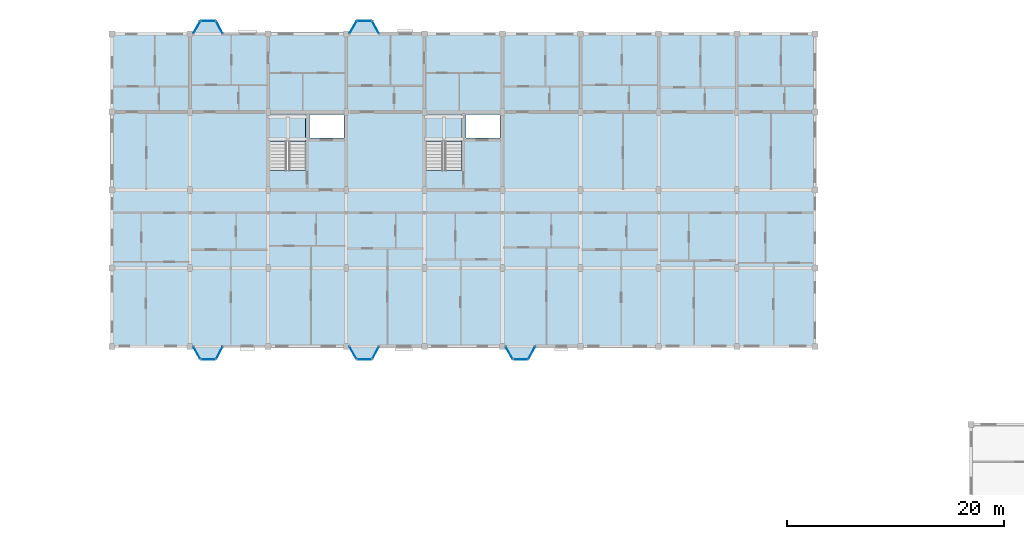
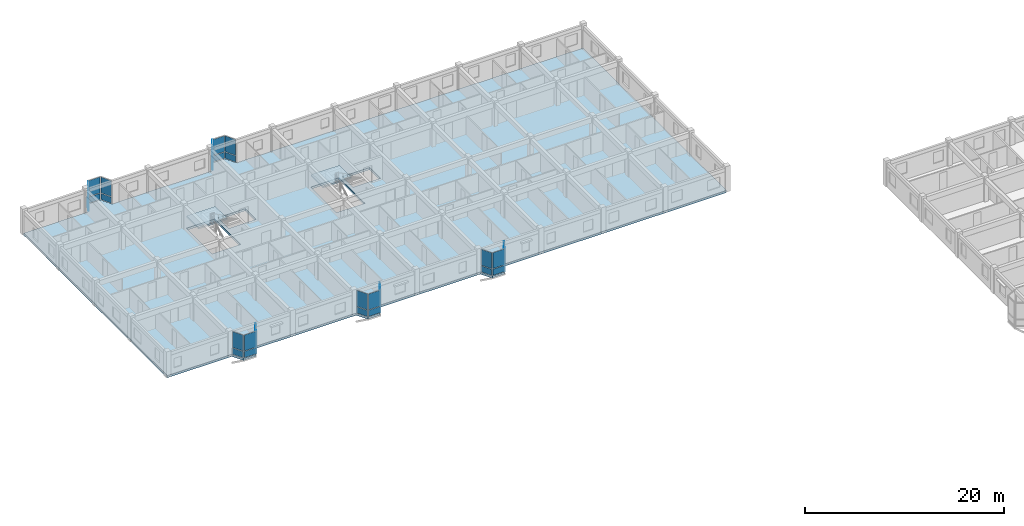
# One storey, part 49 of 77: 30 plates, 3 slabs, 17 elements without a shape of their own.
"""IFC4 building model written with IfcOpenShell, lengths in metres."""

from ifc_helpers import new_model, si_unit, direction, frame, origin, origin_2d, place, context, subcontext, project, spatial, polyline, rectangle, outline, extrude, material, layer, layer_set, type_object, element, aggregate, save


model = new_model("IFC4")

# Units and contexts
model_context = context("Model", 3, precision=1e-05, world=origin(), true_north=direction((0.0, 1.0)))
body_context = subcontext(model_context, "Body", "Model", "MODEL_VIEW")
ifc_project = project(units=[si_unit("LENGTHUNIT", "METRE"), si_unit("AREAUNIT", "SQUARE_METRE"), si_unit("VOLUMEUNIT", "CUBIC_METRE"), si_unit("PLANEANGLEUNIT", "RADIAN"), si_unit("MASSUNIT", "GRAM", prefix="KILO"), si_unit("THERMODYNAMICTEMPERATUREUNIT", "KELVIN"), si_unit("POWERUNIT", "WATT")], contexts=[model_context])

# Site, building, storey
site_placement = place(None, origin())
site = spatial("IfcSite", under=ifc_project, at=site_placement, CompositionType="ELEMENT")
building_placement = place(site_placement, origin())
building = spatial("IfcBuilding", under=site, at=building_placement, Name="Tavuni Mirador Residences", CompositionType="ELEMENT")
storey_placement = place(building_placement, frame((0.0, 0.0, 17.10009765625)))
storey = spatial("IfcBuildingStorey", under=building, at=storey_placement, Name="L05", CompositionType="ELEMENT", Elevation=17.10009765625)

# Curtain wall, plate
ifc_material_1 = material(Name="Anodised aluminium", Category="aluminium")
ifc_layer_1 = layer(ifc_material_1, 0.1650390625, Name="Anodised aluminium", Category="aluminium")
ifc_layer_set_1 = layer_set([ifc_layer_1], Name="Anodised aluminium")
curtain_wall_type_1 = type_object("IfcCurtainWallType", Name="CWT-MIR-A", PredefinedType="NOTDEFINED", material=ifc_layer_set_1)
curtain_wall_1_placement = place(storey_placement, origin())
curtain_wall_1 = element("IfcCurtainWall", 1, at=curtain_wall_1_placement, inside=storey, type_object=curtain_wall_type_1, Name="CW-MIR-C-S2-L05-M1", PredefinedType="NOTDEFINED")
ifc_material_2 = material(Name="Laminated solar-control glass", Category="glass")
ifc_layer_2 = layer(ifc_material_2, 0.02392578125, Name="Laminated solar-control glass", Category="glass")
ifc_layer_set_2 = layer_set([ifc_layer_2], Name="Laminated solar-control glass")
plate_type_1 = type_object("IfcPlateType", Name="CWP-GL24", PredefinedType="CURTAIN_PANEL", material=ifc_layer_set_2)
plate_1_placement = place(storey_placement, frame((33.017578125, 143.39990234375, 0.8798828125), z_axis=(0.0, 0.0, 1.0), x_axis=(0.495749192217, -0.868465738194, 0.0)))
plate_1 = element("IfcPlate", 2, at=plate_1_placement, type_object=plate_type_1, Name="CW-01 panel 1.2", PredefinedType="CURTAIN_PANEL", context=body_context, shape_type="SweptSolid", body=[
    extrude(rectangle(XDim=1.26171875, YDim=0.02392578125, at=origin_2d()), origin(), (0.0, 0.0, 1.0), 1.945068359375),
])

curtain_wall_2_placement = place(storey_placement, origin())
curtain_wall_2 = element("IfcCurtainWall", 3, at=curtain_wall_2_placement, inside=storey, type_object=curtain_wall_type_1, Name="CW-MIR-C-S3-L05-MF", PredefinedType="NOTDEFINED")
plate_2_placement = place(storey_placement, frame((48.469970703125, 142.800048828125, 0.8798828125), z_axis=(0.0, 0.0, 1.0), x_axis=(1.0, 0.0, 0.0)))
plate_2 = element("IfcPlate", 4, at=plate_2_placement, type_object=plate_type_1, Name="CW-01 panel 1.2", PredefinedType="CURTAIN_PANEL", context=body_context, shape_type="SweptSolid", body=[
    extrude(rectangle(XDim=1.300048828125, YDim=0.02392578125, at=origin_2d()), origin(), (0.0, 0.0, 1.0), 1.945068359375),
])

curtain_wall_3_placement = place(storey_placement, origin())
curtain_wall_3 = element("IfcCurtainWall", 5, at=curtain_wall_3_placement, inside=storey, type_object=curtain_wall_type_1, Name="CW-MIR-C-N2-L05-M2", PredefinedType="NOTDEFINED")
plate_3_placement = place(storey_placement, frame((33.017578125, 173.39990234375, 0.8798828125), z_axis=(0.0, 0.0, 1.0), x_axis=(-0.495749192217, -0.868465738194, 0.0)))
plate_3 = element("IfcPlate", 6, at=plate_3_placement, type_object=plate_type_1, Name="CW-01 panel 1.2", PredefinedType="CURTAIN_PANEL", context=body_context, shape_type="SweptSolid", body=[
    extrude(rectangle(XDim=1.26171875, YDim=0.02392578125, at=origin_2d()), origin(), (0.0, 0.0, 1.0), 1.945068359375),
])

ifc_layer_3 = layer(ifc_material_1, 0.14990234375, Name="Anodised aluminium", Category="aluminium")
ifc_layer_set_3 = layer_set([ifc_layer_3], Name="Anodised aluminium")
curtain_wall_type_2 = type_object("IfcCurtainWallType", Name="CWT-MIR-B", PredefinedType="NOTDEFINED", material=ifc_layer_set_3)
curtain_wall_4_placement = place(storey_placement, origin())
curtain_wall_4 = element("IfcCurtainWall", 7, at=curtain_wall_4_placement, inside=storey, type_object=curtain_wall_type_2, Name="CW-MIR-C-S1-L05-M1", PredefinedType="NOTDEFINED")
ifc_layer_4 = layer(ifc_material_2, 0.028076171875, Name="Laminated solar-control glass", Category="glass")
ifc_layer_set_4 = layer_set([ifc_layer_4], Name="Laminated solar-control glass")
plate_type_2 = type_object("IfcPlateType", Name="CWP-GL28", PredefinedType="CURTAIN_PANEL", material=ifc_layer_set_4)
plate_4_placement = place(storey_placement, frame((18.617431640625, 143.39990234375, 0.88232421875), z_axis=(0.0, 0.0, 1.0), x_axis=(0.495749192217, -0.868465738194, 0.0)))
plate_4 = element("IfcPlate", 8, at=plate_4_placement, type_object=plate_type_2, Name="CW-02 panel 1.2", PredefinedType="CURTAIN_PANEL", context=body_context, shape_type="SweptSolid", body=[
    extrude(rectangle(XDim=1.251708984375, YDim=0.028076171875, at=origin_2d()), origin(), (0.0, 0.0, 1.0), 1.9375),
])

curtain_wall_5_placement = place(storey_placement, origin())
curtain_wall_5 = element("IfcCurtainWall", 9, at=curtain_wall_5_placement, inside=storey, type_object=curtain_wall_type_2, Name="CW-MIR-C-S2-L05-MF", PredefinedType="NOTDEFINED")
plate_5_placement = place(storey_placement, frame((34.070068359375, 142.800048828125, 0.88232421875), z_axis=(0.0, 0.0, 1.0), x_axis=(1.0, 0.0, 0.0)))
plate_5 = element("IfcPlate", 10, at=plate_5_placement, type_object=plate_type_2, Name="CW-02 panel 1.2", PredefinedType="CURTAIN_PANEL", context=body_context, shape_type="SweptSolid", body=[
    extrude(rectangle(XDim=1.2900390625, YDim=0.028076171875, at=origin_2d()), origin(), (0.0, 0.0, 1.0), 1.9375),
])

curtain_wall_6_placement = place(storey_placement, origin())
curtain_wall_6 = element("IfcCurtainWall", 11, at=curtain_wall_6_placement, inside=storey, type_object=curtain_wall_type_2, Name="CW-MIR-C-S3-L05-M2", PredefinedType="NOTDEFINED")
plate_6_placement = place(storey_placement, frame((49.5, 143.39990234375, 0.88232421875), z_axis=(0.0, 0.0, 1.0), x_axis=(0.470588235296, 0.882352941175, 0.0)))
plate_6 = element("IfcPlate", 12, at=plate_6_placement, type_object=plate_type_2, Name="CW-02 panel 1.2", PredefinedType="CURTAIN_PANEL", context=body_context, shape_type="SweptSolid", body=[
    extrude(rectangle(XDim=1.22998046875, YDim=0.028076171875, at=origin_2d()), origin(), (0.0, 0.0, 1.0), 1.9375),
])

curtain_wall_7_placement = place(storey_placement, origin())
curtain_wall_7 = element("IfcCurtainWall", 13, at=curtain_wall_7_placement, inside=storey, type_object=curtain_wall_type_2, Name="CW-MIR-C-N1-L05-M1", PredefinedType="NOTDEFINED")
plate_7_placement = place(storey_placement, frame((20.699951171875, 173.39990234375, 0.88232421875), z_axis=(0.0, 0.0, 1.0), x_axis=(-0.470588235296, 0.882352941175, 0.0)))
plate_7 = element("IfcPlate", 14, at=plate_7_placement, type_object=plate_type_2, Name="CW-02 panel 1.2", PredefinedType="CURTAIN_PANEL", context=body_context, shape_type="SweptSolid", body=[
    extrude(rectangle(XDim=1.22998046875, YDim=0.028076171875, at=origin_2d()), origin(), (0.0, 0.0, 1.0), 1.9375),
])

ifc_layer_5 = layer(ifc_material_1, 0.175048828125, Name="Anodised aluminium", Category="aluminium")
ifc_layer_set_5 = layer_set([ifc_layer_5], Name="Anodised aluminium")
curtain_wall_type_3 = type_object("IfcCurtainWallType", Name="CWT-MIR-C", PredefinedType="NOTDEFINED", material=ifc_layer_set_5)
curtain_wall_8_placement = place(storey_placement, origin())
curtain_wall_8 = element("IfcCurtainWall", 15, at=curtain_wall_8_placement, inside=storey, type_object=curtain_wall_type_3, Name="CW-MIR-C-S1-L05-MF", PredefinedType="NOTDEFINED")
ifc_layer_6 = layer(ifc_material_2, 0.031982421875, Name="Laminated solar-control glass", Category="glass")
ifc_layer_set_6 = layer_set([ifc_layer_6], Name="Laminated solar-control glass")
plate_type_3 = type_object("IfcPlateType", Name="CWP-GL32", PredefinedType="CURTAIN_PANEL", material=ifc_layer_set_6)
plate_8_placement = place(storey_placement, frame((19.669921875, 142.800048828125, 0.8798828125), z_axis=(0.0, 0.0, 1.0), x_axis=(1.0, 0.0, 0.0)))
plate_8 = element("IfcPlate", 16, at=plate_8_placement, type_object=plate_type_3, Name="CW-03 panel 1.2", PredefinedType="CURTAIN_PANEL", context=body_context, shape_type="SweptSolid", body=[
    extrude(rectangle(XDim=1.300048828125, YDim=0.031982421875, at=origin_2d()), origin(), (0.0, 0.0, 1.0), 1.945068359375),
])

curtain_wall_9_placement = place(storey_placement, origin())
curtain_wall_9 = element("IfcCurtainWall", 17, at=curtain_wall_9_placement, inside=storey, type_object=curtain_wall_type_3, Name="CW-MIR-C-S2-L05-M2", PredefinedType="NOTDEFINED")
plate_9_placement = place(storey_placement, frame((35.10009765625, 143.39990234375, 0.8798828125), z_axis=(0.0, 0.0, 1.0), x_axis=(0.470588235296, 0.882352941175, 0.0)))
plate_9 = element("IfcPlate", 18, at=plate_9_placement, type_object=plate_type_3, Name="CW-03 panel 1.2", PredefinedType="CURTAIN_PANEL", context=body_context, shape_type="SweptSolid", body=[
    extrude(rectangle(XDim=1.239990234375, YDim=0.031982421875, at=origin_2d()), origin(), (0.0, 0.0, 1.0), 1.945068359375),
])

curtain_wall_10_placement = place(storey_placement, origin())
curtain_wall_10 = element("IfcCurtainWall", 19, at=curtain_wall_10_placement, inside=storey, type_object=curtain_wall_type_3, Name="CW-MIR-C-N2-L05-M1", PredefinedType="NOTDEFINED")
plate_10_placement = place(storey_placement, frame((35.10009765625, 173.39990234375, 0.8798828125), z_axis=(0.0, 0.0, 1.0), x_axis=(-0.470588235296, 0.882352941175, 0.0)))
plate_10 = element("IfcPlate", 20, at=plate_10_placement, type_object=plate_type_3, Name="CW-03 panel 1.2", PredefinedType="CURTAIN_PANEL", context=body_context, shape_type="SweptSolid", body=[
    extrude(rectangle(XDim=1.239990234375, YDim=0.031982421875, at=origin_2d()), origin(), (0.0, 0.0, 1.0), 1.945068359375),
])

curtain_wall_11_placement = place(storey_placement, origin())
curtain_wall_11 = element("IfcCurtainWall", 21, at=curtain_wall_11_placement, inside=storey, type_object=curtain_wall_type_3, Name="CW-MIR-C-N1-L05-MF", PredefinedType="NOTDEFINED")
plate_11_placement = place(storey_placement, frame((19.669921875, 174.0, 0.8798828125), z_axis=(0.0, 0.0, 1.0), x_axis=(-1.0, 0.0, 0.0)))
plate_11 = element("IfcPlate", 22, at=plate_11_placement, type_object=plate_type_3, Name="CW-03 panel 1.2", PredefinedType="CURTAIN_PANEL", context=body_context, shape_type="SweptSolid", body=[
    extrude(rectangle(XDim=1.300048828125, YDim=0.031982421875, at=origin_2d()), origin(), (0.0, 0.0, 1.0), 1.945068359375),
])

ifc_layer_7 = layer(ifc_material_1, 0.159912109375, Name="Anodised aluminium", Category="aluminium")
ifc_layer_set_7 = layer_set([ifc_layer_7], Name="Anodised aluminium")
curtain_wall_type_4 = type_object("IfcCurtainWallType", Name="CWT-MIR-D", PredefinedType="NOTDEFINED", material=ifc_layer_set_7)
curtain_wall_12_placement = place(storey_placement, origin())
curtain_wall_12 = element("IfcCurtainWall", 23, at=curtain_wall_12_placement, inside=storey, type_object=curtain_wall_type_4, Name="CW-MIR-C-S1-L05-M2", PredefinedType="NOTDEFINED")
ifc_layer_8 = layer(ifc_material_2, 0.035888671875, Name="Laminated solar-control glass", Category="glass")
ifc_layer_set_8 = layer_set([ifc_layer_8], Name="Laminated solar-control glass")
plate_type_4 = type_object("IfcPlateType", Name="CWP-GL36", PredefinedType="CURTAIN_PANEL", material=ifc_layer_set_8)
plate_12_placement = place(storey_placement, frame((20.699951171875, 143.39990234375, 0.88232421875), z_axis=(0.0, 0.0, 1.0), x_axis=(0.470588235296, 0.882352941175, 0.0)))
plate_12 = element("IfcPlate", 24, at=plate_12_placement, type_object=plate_type_4, Name="CW-04 panel 1.2", PredefinedType="CURTAIN_PANEL", context=body_context, shape_type="SweptSolid", body=[
    extrude(rectangle(XDim=1.22998046875, YDim=0.035888671875, at=origin_2d()), origin(), (0.0, 0.0, 1.0), 1.9375),
])

curtain_wall_13_placement = place(storey_placement, origin())
curtain_wall_13 = element("IfcCurtainWall", 25, at=curtain_wall_13_placement, inside=storey, type_object=curtain_wall_type_4, Name="CW-MIR-C-S3-L05-M1", PredefinedType="NOTDEFINED")
plate_13_placement = place(storey_placement, frame((47.41748046875, 143.39990234375, 0.88232421875), z_axis=(0.0, 0.0, 1.0), x_axis=(0.495749192217, -0.868465738194, 0.0)))
plate_13 = element("IfcPlate", 26, at=plate_13_placement, type_object=plate_type_4, Name="CW-04 panel 1.2", PredefinedType="CURTAIN_PANEL", context=body_context, shape_type="SweptSolid", body=[
    extrude(rectangle(XDim=1.251708984375, YDim=0.035888671875, at=origin_2d()), origin(), (0.0, 0.0, 1.0), 1.9375),
])

curtain_wall_14_placement = place(storey_placement, origin())
curtain_wall_14 = element("IfcCurtainWall", 27, at=curtain_wall_14_placement, inside=storey, type_object=curtain_wall_type_4, Name="CW-MIR-C-N2-L05-MF", PredefinedType="NOTDEFINED")
plate_14_placement = place(storey_placement, frame((34.070068359375, 174.0, 0.88232421875), z_axis=(0.0, 0.0, 1.0), x_axis=(-1.0, 0.0, 0.0)))
plate_14 = element("IfcPlate", 28, at=plate_14_placement, type_object=plate_type_4, Name="CW-04 panel 1.2", PredefinedType="CURTAIN_PANEL", context=body_context, shape_type="SweptSolid", body=[
    extrude(rectangle(XDim=1.2900390625, YDim=0.035888671875, at=origin_2d()), origin(), (0.0, 0.0, 1.0), 1.9375),
])

curtain_wall_15_placement = place(storey_placement, origin())
curtain_wall_15 = element("IfcCurtainWall", 29, at=curtain_wall_15_placement, inside=storey, type_object=curtain_wall_type_4, Name="CW-MIR-C-N1-L05-M2", PredefinedType="NOTDEFINED")
plate_15_placement = place(storey_placement, frame((18.617431640625, 173.39990234375, 0.88232421875), z_axis=(0.0, 0.0, 1.0), x_axis=(-0.495749192217, -0.868465738194, 0.0)))
plate_15 = element("IfcPlate", 30, at=plate_15_placement, type_object=plate_type_4, Name="CW-04 panel 1.2", PredefinedType="CURTAIN_PANEL", context=body_context, shape_type="SweptSolid", body=[
    extrude(rectangle(XDim=1.251708984375, YDim=0.035888671875, at=origin_2d()), origin(), (0.0, 0.0, 1.0), 1.9375),
])

# Plate
ifc_material_3 = material(Name="Ceramic trencadis mosaic panel", Category="masonry")
ifc_layer_9 = layer(ifc_material_3, 0.0419921875, Name="Ceramic trencadis mosaic panel", Category="masonry")
ifc_layer_set_9 = layer_set([ifc_layer_9], Name="Ceramic trencadis mosaic panel")
plate_type_5 = type_object("IfcPlateType", Name="CWP-SP42", PredefinedType="CURTAIN_PANEL", material=ifc_layer_set_9)
plate_16_placement = place(storey_placement, frame((19.669921875, 142.800048828125, 0.06005859375), z_axis=(0.0, 0.0, 1.0), x_axis=(1.0, 0.0, 0.0)))
plate_16 = element("IfcPlate", 31, at=plate_16_placement, type_object=plate_type_5, Name="CW-03 panel 1.1", PredefinedType="CURTAIN_PANEL", context=body_context, shape_type="SweptSolid", body=[
    extrude(rectangle(XDim=1.300048828125, YDim=0.0419921875, at=origin_2d()), origin(), (0.0, 0.0, 1.0), 0.760009765625),
])

aggregate(curtain_wall_8, [plate_16, plate_8])

plate_17_placement = place(storey_placement, frame((33.017578125, 143.39990234375, 0.06005859375), z_axis=(0.0, 0.0, 1.0), x_axis=(0.495749192217, -0.868465738194, 0.0)))
plate_17 = element("IfcPlate", 32, at=plate_17_placement, type_object=plate_type_5, Name="CW-01 panel 1.1", PredefinedType="CURTAIN_PANEL", context=body_context, shape_type="SweptSolid", body=[
    extrude(rectangle(XDim=1.26171875, YDim=0.0419921875, at=origin_2d()), origin(), (0.0, 0.0, 1.0), 0.760009765625),
])

aggregate(curtain_wall_1, [plate_17, plate_1])

plate_18_placement = place(storey_placement, frame((35.10009765625, 143.39990234375, 0.06005859375), z_axis=(0.0, 0.0, 1.0), x_axis=(0.470588235296, 0.882352941175, 0.0)))
plate_18 = element("IfcPlate", 33, at=plate_18_placement, type_object=plate_type_5, Name="CW-03 panel 1.1", PredefinedType="CURTAIN_PANEL", context=body_context, shape_type="SweptSolid", body=[
    extrude(rectangle(XDim=1.239990234375, YDim=0.0419921875, at=origin_2d()), origin(), (0.0, 0.0, 1.0), 0.760009765625),
])

aggregate(curtain_wall_9, [plate_18, plate_9])

plate_19_placement = place(storey_placement, frame((48.469970703125, 142.800048828125, 0.06005859375), z_axis=(0.0, 0.0, 1.0), x_axis=(1.0, 0.0, 0.0)))
plate_19 = element("IfcPlate", 34, at=plate_19_placement, type_object=plate_type_5, Name="CW-01 panel 1.1", PredefinedType="CURTAIN_PANEL", context=body_context, shape_type="SweptSolid", body=[
    extrude(rectangle(XDim=1.300048828125, YDim=0.0419921875, at=origin_2d()), origin(), (0.0, 0.0, 1.0), 0.760009765625),
])

aggregate(curtain_wall_2, [plate_19, plate_2])

plate_20_placement = place(storey_placement, frame((35.10009765625, 173.39990234375, 0.06005859375), z_axis=(0.0, 0.0, 1.0), x_axis=(-0.470588235296, 0.882352941175, 0.0)))
plate_20 = element("IfcPlate", 35, at=plate_20_placement, type_object=plate_type_5, Name="CW-03 panel 1.1", PredefinedType="CURTAIN_PANEL", context=body_context, shape_type="SweptSolid", body=[
    extrude(rectangle(XDim=1.239990234375, YDim=0.0419921875, at=origin_2d()), origin(), (0.0, 0.0, 1.0), 0.760009765625),
])

aggregate(curtain_wall_10, [plate_20, plate_10])

plate_21_placement = place(storey_placement, frame((33.017578125, 173.39990234375, 0.06005859375), z_axis=(0.0, 0.0, 1.0), x_axis=(-0.495749192217, -0.868465738194, 0.0)))
plate_21 = element("IfcPlate", 36, at=plate_21_placement, type_object=plate_type_5, Name="CW-01 panel 1.1", PredefinedType="CURTAIN_PANEL", context=body_context, shape_type="SweptSolid", body=[
    extrude(rectangle(XDim=1.26171875, YDim=0.0419921875, at=origin_2d()), origin(), (0.0, 0.0, 1.0), 0.760009765625),
])

aggregate(curtain_wall_3, [plate_21, plate_3])

plate_22_placement = place(storey_placement, frame((19.669921875, 174.0, 0.06005859375), z_axis=(0.0, 0.0, 1.0), x_axis=(-1.0, 0.0, 0.0)))
plate_22 = element("IfcPlate", 37, at=plate_22_placement, type_object=plate_type_5, Name="CW-03 panel 1.1", PredefinedType="CURTAIN_PANEL", context=body_context, shape_type="SweptSolid", body=[
    extrude(rectangle(XDim=1.300048828125, YDim=0.0419921875, at=origin_2d()), origin(), (0.0, 0.0, 1.0), 0.760009765625),
])

aggregate(curtain_wall_11, [plate_22, plate_11])

ifc_layer_10 = layer(ifc_material_3, 0.048095703125, Name="Ceramic trencadis mosaic panel", Category="masonry")
ifc_layer_set_10 = layer_set([ifc_layer_10], Name="Ceramic trencadis mosaic panel")
plate_type_6 = type_object("IfcPlateType", Name="CWP-SP48", PredefinedType="CURTAIN_PANEL", material=ifc_layer_set_10)
plate_23_placement = place(storey_placement, frame((18.617431640625, 143.39990234375, 0.06494140625), z_axis=(0.0, 0.0, 1.0), x_axis=(0.495749192217, -0.868465738194, 0.0)))
plate_23 = element("IfcPlate", 38, at=plate_23_placement, type_object=plate_type_6, Name="CW-02 panel 1.1", PredefinedType="CURTAIN_PANEL", context=body_context, shape_type="SweptSolid", body=[
    extrude(rectangle(XDim=1.251708984375, YDim=0.048095703125, at=origin_2d()), origin(), (0.0, 0.0, 1.0), 0.75244140625),
])

aggregate(curtain_wall_4, [plate_23, plate_4])

plate_24_placement = place(storey_placement, frame((20.699951171875, 143.39990234375, 0.06494140625), z_axis=(0.0, 0.0, 1.0), x_axis=(0.470588235296, 0.882352941175, 0.0)))
plate_24 = element("IfcPlate", 39, at=plate_24_placement, type_object=plate_type_6, Name="CW-04 panel 1.1", PredefinedType="CURTAIN_PANEL", context=body_context, shape_type="SweptSolid", body=[
    extrude(rectangle(XDim=1.22998046875, YDim=0.048095703125, at=origin_2d()), origin(), (0.0, 0.0, 1.0), 0.75244140625),
])

aggregate(curtain_wall_12, [plate_24, plate_12])

plate_25_placement = place(storey_placement, frame((34.070068359375, 142.800048828125, 0.06494140625), z_axis=(0.0, 0.0, 1.0), x_axis=(1.0, 0.0, 0.0)))
plate_25 = element("IfcPlate", 40, at=plate_25_placement, type_object=plate_type_6, Name="CW-02 panel 1.1", PredefinedType="CURTAIN_PANEL", context=body_context, shape_type="SweptSolid", body=[
    extrude(rectangle(XDim=1.2900390625, YDim=0.048095703125, at=origin_2d()), origin(), (0.0, 0.0, 1.0), 0.75244140625),
])

aggregate(curtain_wall_5, [plate_25, plate_5])

plate_26_placement = place(storey_placement, frame((47.41748046875, 143.39990234375, 0.06494140625), z_axis=(0.0, 0.0, 1.0), x_axis=(0.495749192217, -0.868465738194, 0.0)))
plate_26 = element("IfcPlate", 41, at=plate_26_placement, type_object=plate_type_6, Name="CW-04 panel 1.1", PredefinedType="CURTAIN_PANEL", context=body_context, shape_type="SweptSolid", body=[
    extrude(rectangle(XDim=1.251708984375, YDim=0.048095703125, at=origin_2d()), origin(), (0.0, 0.0, 1.0), 0.75244140625),
])

aggregate(curtain_wall_13, [plate_26, plate_13])

plate_27_placement = place(storey_placement, frame((49.5, 143.39990234375, 0.06494140625), z_axis=(0.0, 0.0, 1.0), x_axis=(0.470588235296, 0.882352941175, 0.0)))
plate_27 = element("IfcPlate", 42, at=plate_27_placement, type_object=plate_type_6, Name="CW-02 panel 1.1", PredefinedType="CURTAIN_PANEL", context=body_context, shape_type="SweptSolid", body=[
    extrude(rectangle(XDim=1.22998046875, YDim=0.048095703125, at=origin_2d()), origin(), (0.0, 0.0, 1.0), 0.75244140625),
])

aggregate(curtain_wall_6, [plate_27, plate_6])

plate_28_placement = place(storey_placement, frame((34.070068359375, 174.0, 0.06494140625), z_axis=(0.0, 0.0, 1.0), x_axis=(-1.0, 0.0, 0.0)))
plate_28 = element("IfcPlate", 43, at=plate_28_placement, type_object=plate_type_6, Name="CW-04 panel 1.1", PredefinedType="CURTAIN_PANEL", context=body_context, shape_type="SweptSolid", body=[
    extrude(rectangle(XDim=1.2900390625, YDim=0.048095703125, at=origin_2d()), origin(), (0.0, 0.0, 1.0), 0.75244140625),
])

aggregate(curtain_wall_14, [plate_28, plate_14])

plate_29_placement = place(storey_placement, frame((20.699951171875, 173.39990234375, 0.06494140625), z_axis=(0.0, 0.0, 1.0), x_axis=(-0.470588235296, 0.882352941175, 0.0)))
plate_29 = element("IfcPlate", 44, at=plate_29_placement, type_object=plate_type_6, Name="CW-02 panel 1.1", PredefinedType="CURTAIN_PANEL", context=body_context, shape_type="SweptSolid", body=[
    extrude(rectangle(XDim=1.22998046875, YDim=0.048095703125, at=origin_2d()), origin(), (0.0, 0.0, 1.0), 0.75244140625),
])

aggregate(curtain_wall_7, [plate_29, plate_7])

plate_30_placement = place(storey_placement, frame((18.617431640625, 173.39990234375, 0.06494140625), z_axis=(0.0, 0.0, 1.0), x_axis=(-0.495749192217, -0.868465738194, 0.0)))
plate_30 = element("IfcPlate", 45, at=plate_30_placement, type_object=plate_type_6, Name="CW-04 panel 1.1", PredefinedType="CURTAIN_PANEL", context=body_context, shape_type="SweptSolid", body=[
    extrude(rectangle(XDim=1.251708984375, YDim=0.048095703125, at=origin_2d()), origin(), (0.0, 0.0, 1.0), 0.75244140625),
])

aggregate(curtain_wall_15, [plate_30, plate_15])

# Slab
ifc_material_4 = material(Name="Prestressed concrete C45/55", Category="concrete")
ifc_layer_11 = layer(ifc_material_4, 0.264892578125, Name="Prestressed concrete C45/55", Category="concrete")
ifc_layer_set_11 = layer_set([ifc_layer_11], Name="Prestressed concrete C45/55")
slab_type_1 = type_object("IfcSlabType", Name="SLT-FLR265", PredefinedType="FLOOR", material=ifc_layer_set_11)
slab_1_placement = place(storey_placement, frame((0.0, 0.0, -0.26513671875)))
element("IfcSlab", 46, at=slab_1_placement, inside=storey, type_object=slab_type_1, Name="SLB-BLK-C-L05", PredefinedType="FLOOR", context=body_context, shape_type="SweptSolid", body=[
    extrude(outline(polyline([(10.800048828125, 144.0), (18.27490234375, 144.0), (18.9599609375, 142.800048828125), (20.3798828125, 142.800048828125), (21.02001953125, 144.0), (32.675048828125, 144.0), (33.360107421875, 142.800048828125), (34.780029296875, 142.800048828125), (35.419921875, 144.0), (47.074951171875, 144.0), (47.760009765625, 142.800048828125), (49.179931640625, 142.800048828125), (49.820068359375, 144.0), (75.60009765625, 144.0), (75.60009765625, 172.800048828125), (35.419921875, 172.800048828125), (34.780029296875, 174.0), (33.360107421875, 174.0), (32.675048828125, 172.800048828125), (21.02001953125, 172.800048828125), (20.3798828125, 174.0), (18.9599609375, 174.0), (18.27490234375, 172.800048828125), (10.800048828125, 172.800048828125), (10.800048828125, 144.0)]), holes=[polyline([(25.360107421875, 160.2080078125), (28.639892578125, 160.2080078125), (28.639892578125, 165.360107421875), (25.360107421875, 165.360107421875), (25.360107421875, 160.2080078125)]), polyline([(29.02001953125, 163.219970703125), (32.179931640625, 163.219970703125), (32.179931640625, 165.3798828125), (29.02001953125, 165.3798828125), (29.02001953125, 163.219970703125)]), polyline([(39.760009765625, 160.2080078125), (43.0400390625, 160.2080078125), (43.0400390625, 165.360107421875), (39.760009765625, 165.360107421875), (39.760009765625, 160.2080078125)]), polyline([(43.419921875, 163.219970703125), (46.580078125, 163.219970703125), (46.580078125, 165.3798828125), (43.419921875, 165.3798828125), (43.419921875, 163.219970703125)])]), origin(), (0.0, 0.0, 1.0), 0.26513671875),
])

# Stair, slab
ifc_material_5 = material(Name="Precast concrete C40/50", Category="concrete")
stair_type = type_object("IfcStairType", Name="STT-TYP", PredefinedType="HALF_TURN_STAIR", material=ifc_material_5)
stair_1_placement = place(storey_placement, origin())
stair_1 = element("IfcStair", 47, at=stair_1_placement, inside=storey, type_object=stair_type, Name="Protected exit stair ST5 (L05)", PredefinedType="HALF_TURN_STAIR")
ifc_layer_12 = layer(ifc_material_5, 0.179931640625, Name="Precast concrete C40/50", Category="concrete")
ifc_layer_set_12 = layer_set([ifc_layer_12], Name="Precast concrete C40/50")
slab_type_2 = type_object("IfcSlabType", Name="SLT-LND180", PredefinedType="LANDING", material=ifc_layer_set_12)
slab_2_placement = place(storey_placement, frame((0.0, 0.0, 1.39501953125)))
slab_2 = element("IfcSlab", 48, at=slab_2_placement, type_object=slab_type_2, Name="ST5 landing 1", PredefinedType="LANDING", context=body_context, shape_type="SweptSolid", body=[
    extrude(outline(polyline([(25.340087890625, 162.89208984375), (28.659912109375, 162.89208984375), (28.659912109375, 165.300048828125), (25.340087890625, 165.300048828125), (25.340087890625, 162.89208984375)])), origin(), (0.0, 0.0, 1.0), 0.179931640625),
])
aggregate(stair_1, [slab_2])

stair_2_placement = place(storey_placement, origin())
stair_2 = element("IfcStair", 49, at=stair_2_placement, inside=storey, type_object=stair_type, Name="Protected exit stair ST6 (L05)", PredefinedType="HALF_TURN_STAIR")
slab_3_placement = place(storey_placement, frame((0.0, 0.0, 1.39501953125)))
slab_3 = element("IfcSlab", 50, at=slab_3_placement, type_object=slab_type_2, Name="ST6 landing 1", PredefinedType="LANDING", context=body_context, shape_type="SweptSolid", body=[
    extrude(outline(polyline([(39.739990234375, 162.89208984375), (43.06005859375, 162.89208984375), (43.06005859375, 165.300048828125), (39.739990234375, 165.300048828125), (39.739990234375, 162.89208984375)])), origin(), (0.0, 0.0, 1.0), 0.179931640625),
])
aggregate(stair_2, [slab_3])

save(model, "model.ifc")
